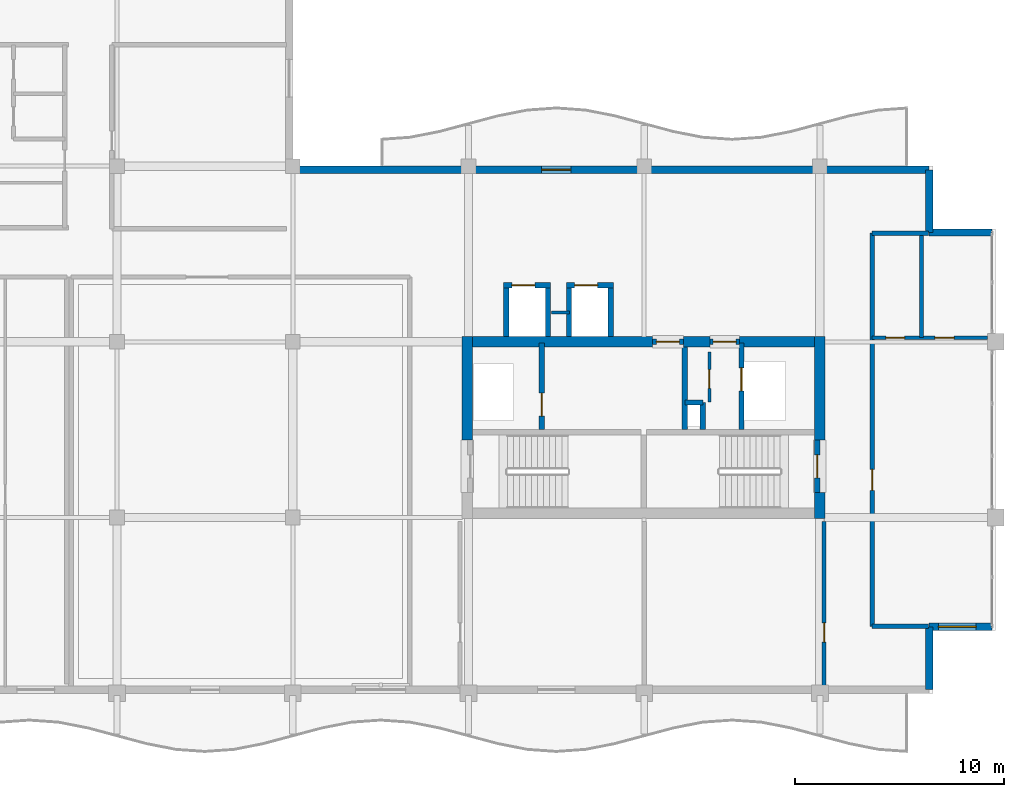
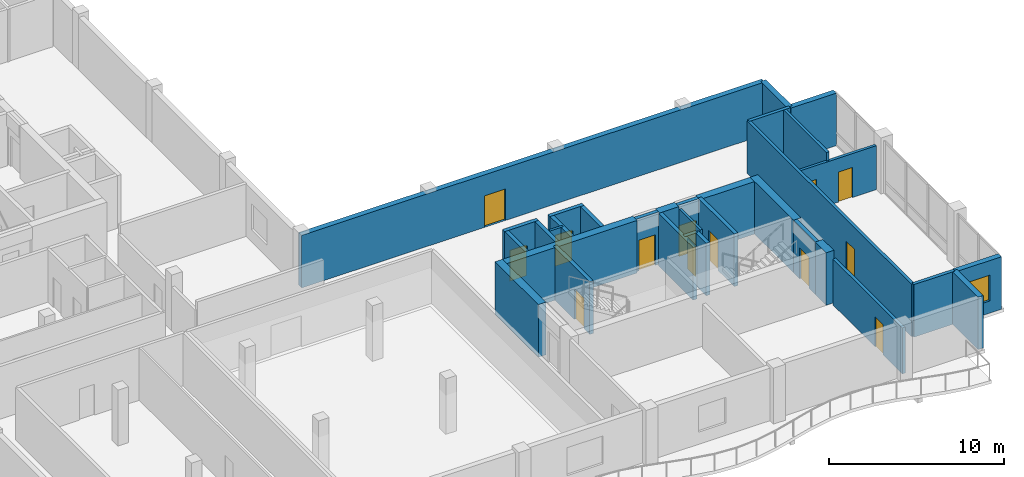
# One storey, part 7 of 14: 33 walls, 13 doors, 1 window, 14 openings.
"""IFC4 building model written with IfcOpenShell, lengths in metres."""

import ifcopenshell
import ifcopenshell.guid

model = None  # the IFC model being written
_history = None  # IfcOwnerHistory: only IFC2X3 demands one
_inside = {}  # id of a spatial element -> (the spatial element, [elements in it])
_under = {}  # id of a project, library or spatial element -> (it, [spatial elements below it])
_declared = {}  # id of a project -> (the project, [libraries it declares])
_typed = {}  # id of a type object -> (the type object, [elements of that type])
_made_of = {}  # id of a material, layer set ... -> (it, [elements and type objects made of it])


def new_model(schema):
    """Start an empty IFC model of exactly this schema.

    Asked for "IFC4X3", IfcOpenShell would pick the latest addendum, in which some entities
    have other attributes; the version numbers below select the first issue.
    IFC2X3 requires an IfcOwnerHistory on every rooted entity: one is made here for all.
    """
    global model, _history
    if schema == "IFC4X3":
        model = ifcopenshell.file(schema_version=(4, 3, 0, 0))
    else:
        model = ifcopenshell.file(schema=schema)
    _inside.clear()
    _under.clear()
    _declared.clear()
    _typed.clear()
    _made_of.clear()
    _history = None
    if model.schema == "IFC2X3":
        org = make("IfcOrganization", Name="unknown")
        user = make(
            "IfcPersonAndOrganization",
            ThePerson=make("IfcPerson", FamilyName="unknown"),
            TheOrganization=org,
        )
        app = make(
            "IfcApplication",
            ApplicationDeveloper=org,
            Version="unknown",
            ApplicationFullName="unknown",
            ApplicationIdentifier="unknown",
        )
        _history = make(
            "IfcOwnerHistory",
            OwningUser=user,
            OwningApplication=app,
            ChangeAction="ADDED",
            CreationDate=0,
        )
    return model


def make(cls, **values):
    """One entity of the class cls with the attributes given. An attribute that is None is left unset."""
    return model.create_entity(
        cls, **{name: value for name, value in values.items() if value is not None}
    )


def rooted(cls, **values):
    """An entity with a GlobalId (a new one), such as an element, a storey or a relation."""
    return make(cls, GlobalId=ifcopenshell.guid.new(), OwnerHistory=_history, **values)


def si_unit(unit_type, name, prefix=None):
    """IfcSIUnit, for example si_unit("LENGTHUNIT", "METRE", prefix="MILLI")."""
    return make("IfcSIUnit", UnitType=unit_type, Prefix=prefix, Name=name)


def assignment(units):
    """IfcUnitAssignment: the units of a project."""
    return None if units is None else make("IfcUnitAssignment", Units=units)


def point(xyz):
    """IfcCartesianPoint."""
    return None if xyz is None else make("IfcCartesianPoint", Coordinates=xyz)


def direction(xyz):
    """IfcDirection."""
    return None if xyz is None else make("IfcDirection", DirectionRatios=xyz)


def frame(location, z_axis=None, x_axis=None):
    """IfcAxis2Placement3D, a coordinate frame: its origin and axes. An axis left out is left unset."""
    return make(
        "IfcAxis2Placement3D",
        Location=point(location),
        Axis=direction(z_axis),
        RefDirection=direction(x_axis),
    )


def frame_2d(location, x_axis=None):
    """IfcAxis2Placement2D, a coordinate frame in the plane: its origin and x axis."""
    return make(
        "IfcAxis2Placement2D", Location=point(location), RefDirection=direction(x_axis)
    )


def origin():
    """The frame at (0, 0, 0) with its axes left unset."""
    return frame((0.0, 0.0, 0.0))


def place(relative_to, where):
    """IfcLocalPlacement: puts the frame where relative to a parent placement (None: the world)."""
    return make(
        "IfcLocalPlacement", PlacementRelTo=relative_to, RelativePlacement=where
    )


def context(
    kind, dimensions, precision=None, world=None, true_north=None, identifier=None
):
    """IfcGeometricRepresentationContext, for example the 3D "Model" context."""
    return make(
        "IfcGeometricRepresentationContext",
        ContextIdentifier=identifier,
        ContextType=kind,
        CoordinateSpaceDimension=dimensions,
        Precision=precision,
        WorldCoordinateSystem=world,
        TrueNorth=true_north,
    )


def subcontext(parent, identifier, kind, view, scale=None):
    """IfcGeometricRepresentationSubContext, for example "Body" below "Model"."""
    return make(
        "IfcGeometricRepresentationSubContext",
        ContextIdentifier=identifier,
        ContextType=kind,
        ParentContext=parent,
        TargetScale=scale,
        TargetView=view,
    )


def project(units=None, contexts=None):
    """IfcProject with its units and contexts."""
    return rooted(
        "IfcProject",
        Name="project",
        RepresentationContexts=contexts,
        UnitsInContext=assignment(units),
    )


def spatial(cls, under=None, at=None, **own):
    """A site, building, storey or space (cls), placed at a placement, below another one or the project."""
    s = rooted(cls, ObjectPlacement=at, **own)
    if under is not None:
        _under.setdefault(under.id(), (under, []))[1].append(s)
    return s


def profile(cls, at=None, kind="AREA", **sizes):
    """A parametric profile (cls). Its sizes go by their IFC names, for example OverallWidth=200.0."""
    return make(cls, ProfileType=kind, Position=at, **sizes)


def rectangle(**sizes):
    """IfcRectangleProfileDef."""
    return profile("IfcRectangleProfileDef", **sizes)


def extrude(swept, where, along, depth):
    """IfcExtrudedAreaSolid: the profile swept, set in the frame where, extruded along a direction by depth."""
    return make(
        "IfcExtrudedAreaSolid",
        SweptArea=swept,
        Position=where,
        ExtrudedDirection=direction(along),
        Depth=depth,
    )


def shape(context_of_items, identifier, shape_type, items):
    """IfcShapeRepresentation: the items that make up one representation, for example the "Body"."""
    return make(
        "IfcShapeRepresentation",
        ContextOfItems=context_of_items,
        RepresentationIdentifier=identifier,
        RepresentationType=shape_type,
        Items=items,
    )


def material(Name=None, Category=None):
    """IfcMaterial."""
    return make("IfcMaterial", Name=Name, Category=Category)


def layer(
    of_material, thickness, ventilated=None, Name=None, Category=None, Priority=None
):
    """IfcMaterialLayer: one layer of a wall or slab, of a material (None: an air gap)."""
    return make(
        "IfcMaterialLayer",
        Material=of_material,
        LayerThickness=thickness,
        IsVentilated=ventilated,
        Name=Name,
        Category=Category,
        Priority=Priority,
    )


def layer_set(layers, Name=None):
    """IfcMaterialLayerSet."""
    return make("IfcMaterialLayerSet", MaterialLayers=layers, LayerSetName=Name)


def made_of(thing, what):
    """Note that an element or type object is made of a material, layer set ...; save() writes the relation."""
    if what is not None:
        _made_of.setdefault(what.id(), (what, []))[1].append(thing)
    return thing


def type_object(cls, material=None, **own):
    """A type object (cls), such as IfcWallType, which elements share."""
    return made_of(rooted(cls, **own), material)


def element(
    cls,
    number,
    at=None,
    inside=None,
    cuts=None,
    type_object=None,
    material=None,
    context=None,
    identifier="Body",
    shape_type=None,
    held_by="IfcProductDefinitionShape",
    body=None,
    shapes=None,
    **own,
):
    """One element of the class cls, such as IfcWall. Its Tag is "e" and its number.

    at: its placement. inside: the storey or other place that contains it. cuts: it is an
    opening in that element (IfcRelVoidsElement). A single representation is given by context,
    identifier, shape_type and body (its items); several are given by shapes. held_by: the class
    of the entity that holds the representations. save() writes the other relations.
    """
    e = rooted(cls, Tag="e%d" % number, ObjectPlacement=at, **own)
    if body is not None:
        shapes = [shape(context, identifier, shape_type, body)]
    if shapes is not None:
        e.Representation = make(held_by, Representations=shapes)
    if inside is not None:
        _inside.setdefault(inside.id(), (inside, []))[1].append(e)
    if cuts is not None:
        rooted(
            "IfcRelVoidsElement", RelatingBuildingElement=cuts, RelatedOpeningElement=e
        )
    if type_object is not None:
        _typed.setdefault(type_object.id(), (type_object, []))[1].append(e)
    return made_of(e, material)


def fill(opening, filler):
    """IfcRelFillsElement: the door or window that sits in an opening."""
    return rooted(
        "IfcRelFillsElement",
        RelatingOpeningElement=opening,
        RelatedBuildingElement=filler,
    )


def aggregate(whole, parts):
    """IfcRelAggregates: a whole, such as a stair, and the parts it consists of."""
    return rooted("IfcRelAggregates", RelatingObject=whole, RelatedObjects=parts)


def save(model, path):
    """Write the relations noted so far, then the file.

    IfcRelAggregates (storeys below a building ...), IfcRelContainedInSpatialStructure (elements
    in a storey), IfcRelDefinesByType, IfcRelAssociatesMaterial and IfcRelDeclares: one each for
    every whole, place, type object, material and project.
    """
    for whole, parts in _under.values():
        aggregate(whole, parts)
    for where, things in _inside.values():
        rooted(
            "IfcRelContainedInSpatialStructure",
            RelatedElements=things,
            RelatingStructure=where,
        )
    for kind, things in _typed.values():
        rooted("IfcRelDefinesByType", RelatedObjects=things, RelatingType=kind)
    for what, things in _made_of.values():
        rooted("IfcRelAssociatesMaterial", RelatedObjects=things, RelatingMaterial=what)
    for by, libraries in _declared.values():
        rooted("IfcRelDeclares", RelatingContext=by, RelatedDefinitions=libraries)
    model.write(path)


model = new_model("IFC4")

# Units and contexts
model_context = context("Model", 3, precision=1e-05, world=origin(), true_north=direction((0.0, 1.0)))
body_context = subcontext(model_context, "Body", "Model", "MODEL_VIEW")
ifc_project = project(units=[si_unit("LENGTHUNIT", "METRE"), si_unit("AREAUNIT", "SQUARE_METRE"), si_unit("VOLUMEUNIT", "CUBIC_METRE"), si_unit("PLANEANGLEUNIT", "RADIAN"), si_unit("MASSUNIT", "GRAM", prefix="KILO")], contexts=[model_context])

# Site, building, storey
site_placement = place(None, origin())
site = spatial("IfcSite", under=ifc_project, at=site_placement, CompositionType="ELEMENT")
building_placement = place(site_placement, origin())
building = spatial("IfcBuilding", under=site, at=building_placement, Name="Koriwani Terraces Tower", CompositionType="ELEMENT")
storey_placement = place(building_placement, frame((0.0, 0.0, 339.800048828125)))
storey = spatial("IfcBuildingStorey", under=building, at=storey_placement, Name="L84", CompositionType="ELEMENT", Elevation=339.800048828125)

# Walls
ifc_material_1 = material(Name="Concrete C50/60", Category="concrete")
ifc_layer_1 = layer(ifc_material_1, 0.5, Name="Concrete C50/60")
ifc_layer_set_1 = layer_set([ifc_layer_1], Name="Concrete C50/60")
wall_type_1 = type_object("IfcWallType", Name="WALL_CORE_RC_500", PredefinedType="SHEAR", material=ifc_layer_set_1)
wall_1_placement = place(storey_placement, frame((41.949951171875, 20.5, 0.0), z_axis=(0.0, 0.0, 1.0), x_axis=(0.0, 1.0, 0.0)))
element("IfcWall", 1, at=wall_1_placement, inside=storey, type_object=wall_type_1, Name="L84 East Split Core Shear Wall W2", PredefinedType="SHEAR", context=body_context, shape_type="SweptSolid", body=[
    extrude(rectangle(XDim=4.949951171875, YDim=0.5, at=frame_2d((2.47509765625, 0.0))), origin(), (0.0, 0.0, 1.0), 3.669921875),
])
wall_2_placement = place(storey_placement, frame((58.800048828125, 16.75, 0.0), z_axis=(0.0, 0.0, 1.0), x_axis=(0.0, 1.0, 0.0)))
element("IfcWall", 2, at=wall_2_placement, inside=storey, type_object=wall_type_1, Name="L84 East Split Core Shear Wall E1", PredefinedType="SHEAR", context=body_context, shape_type="SweptSolid", body=[
    extrude(rectangle(XDim=1.25, YDim=0.5, at=frame_2d((0.625, 0.0))), origin(), (0.0, 0.0, 1.0), 3.669921875),
])
wall_3_placement = place(storey_placement, frame((58.800048828125, 20.5, 0.0), z_axis=(0.0, 0.0, 1.0), x_axis=(0.0, 1.0, 0.0)))
element("IfcWall", 3, at=wall_3_placement, inside=storey, type_object=wall_type_1, Name="L84 East Split Core Shear Wall E2", PredefinedType="SHEAR", context=body_context, shape_type="SweptSolid", body=[
    extrude(rectangle(XDim=4.949951171875, YDim=0.5, at=frame_2d((2.47509765625, 0.0))), origin(), (0.0, 0.0, 1.0), 3.669921875),
])
wall_4_placement = place(storey_placement, frame((42.199951171875, 25.199951171875, 0.0), z_axis=(0.0, 0.0, 1.0), x_axis=(1.0, 0.0, 0.0)))
element("IfcWall", 4, at=wall_4_placement, inside=storey, type_object=wall_type_1, Name="L84 East Split Core Shear Wall N1", PredefinedType="SHEAR", context=body_context, shape_type="SweptSolid", body=[
    extrude(rectangle(XDim=8.60009765625, YDim=0.5, at=frame_2d((4.300048828125, 0.0))), origin(), (0.0, 0.0, 1.0), 3.669921875),
])
wall_5_placement = place(storey_placement, frame((52.280029296875, 25.199951171875, 0.0), z_axis=(0.0, 0.0, 1.0), x_axis=(1.0, 0.0, 0.0)))
element("IfcWall", 5, at=wall_5_placement, inside=storey, type_object=wall_type_1, Name="L84 East Split Core Shear Wall N2", PredefinedType="SHEAR", context=body_context, shape_type="SweptSolid", body=[
    extrude(rectangle(XDim=1.27001953125, YDim=0.5, at=frame_2d((0.635009765625, 0.0))), origin(), (0.0, 0.0, 1.0), 3.669921875),
])
wall_6_placement = place(storey_placement, frame((54.949951171875, 25.199951171875, 0.0), z_axis=(0.0, 0.0, 1.0), x_axis=(1.0, 0.0, 0.0)))
element("IfcWall", 6, at=wall_6_placement, inside=storey, type_object=wall_type_1, Name="L84 East Split Core Shear Wall N3", PredefinedType="SHEAR", context=body_context, shape_type="SweptSolid", body=[
    extrude(rectangle(XDim=3.60009765625, YDim=0.5, at=frame_2d((1.800048828125, 0.0))), origin(), (0.0, 0.0, 1.0), 3.669921875),
])

# Wall, opening, door
ifc_material_2 = material(Name="Autoclaved Cellular Concrete Blockwork", Category="masonry")
ifc_layer_2 = layer(ifc_material_2, 0.199951171875, Name="Autoclaved Cellular Concrete Blockwork")
ifc_layer_set_2 = layer_set([ifc_layer_2], Name="Autoclaved Cellular Concrete Blockwork")
wall_type_2 = type_object("IfcWallType", Name="WALL_CORRIDOR_200", PredefinedType="PARTITIONING", material=ifc_layer_set_2)
wall_7_placement = place(storey_placement, frame((59.0, 8.64990234375, 0.0), z_axis=(0.0, 0.0, 1.0), x_axis=(0.0, 1.0, 0.0)))
wall_7 = element("IfcWall", 7, at=wall_7_placement, inside=storey, type_object=wall_type_2, Name="L84 Interior Wall WRZ4-EE-L84", PredefinedType="PARTITIONING", context=body_context, shape_type="SweptSolid", body=[
    extrude(rectangle(XDim=7.9501953125, YDim=0.199951171875, at=frame_2d((3.97509765625, 0.0))), origin(), (0.0, 0.0, 1.0), 3.20703125),
])
opening_1_placement = place(wall_7_placement, frame((2.199951171875, 0.0, 0.0)))
opening_1 = element("IfcOpeningElement", 8, at=opening_1_placement, cuts=wall_7, Name="Opening D-06", PredefinedType="OPENING", context=body_context, shape_type="SweptSolid", body=[
    extrude(rectangle(XDim=0.919921875, YDim=2.10009765625, at=frame_2d((0.4599609375, 1.050048828125))), frame((0.0, 0.10986328125, 0.0), z_axis=(0.0, -1.0, 0.0), x_axis=(1.0, 0.0, 0.0)), (0.0, 0.0, 1.0), 0.219970703125),
])
ifc_material_3 = material(Name="Architectural Oak Fire Door", Category="wood")
door_type_1 = type_object("IfcDoorType", Name="DOOR_ROOM_INT_920X2100", OperationType="NOTDEFINED", PredefinedType="DOOR", material=ifc_material_3)
door_1_placement = place(opening_1_placement, origin())
door_1 = element("IfcDoor", 9, at=door_1_placement, inside=storey, type_object=door_type_1, Name="L84 Resident Laundry Room Door", OperationType="SINGLE_SWING_RIGHT", OverallHeight=2.10009765625, OverallWidth=0.919921875, PredefinedType="DOOR", context=body_context, shape_type="SweptSolid", body=[
    extrude(rectangle(XDim=0.919921875, YDim=2.10009765625, at=frame_2d((0.4599609375, 1.050048828125))), frame((0.0, 0.02490234375, 0.0), z_axis=(0.0, -1.0, 0.0), x_axis=(1.0, 0.0, 0.0)), (0.0, 0.0, 1.0), 0.050048828125),
])
fill(opening_1, door_1)

wall_8_placement = place(storey_placement, frame((61.300048828125, 11.60009765625, 0.0), z_axis=(0.0, 0.0, 1.0), x_axis=(0.0, 1.0, 0.0)))
wall_8 = element("IfcWall", 10, at=wall_8_placement, inside=storey, type_object=wall_type_2, Name="L84 Interior Wall WET-W-L84", PredefinedType="PARTITIONING", context=body_context, shape_type="SweptSolid", body=[
    extrude(rectangle(XDim=18.7998046875, YDim=0.199951171875, at=frame_2d((9.39990234375, 0.0))), origin(), (0.0, 0.0, 1.0), 3.669921875),
])
opening_2_placement = place(wall_8_placement, frame((6.5, 0.0, 0.0)))
opening_2 = element("IfcOpeningElement", 11, at=opening_2_placement, cuts=wall_8, Name="Opening D-05", PredefinedType="OPENING", context=body_context, shape_type="SweptSolid", body=[
    extrude(rectangle(XDim=1.0, YDim=2.14990234375, at=frame_2d((0.5, 1.074951171875))), frame((0.0, 0.10986328125, 0.0), z_axis=(0.0, -1.0, 0.0), x_axis=(1.0, 0.0, 0.0)), (0.0, 0.0, 1.0), 0.219970703125),
])
door_type_2 = type_object("IfcDoorType", Name="DOOR_SUITE_ENTRY_1000X2150", OperationType="NOTDEFINED", PredefinedType="DOOR", material=ifc_material_3)
door_2_placement = place(opening_2_placement, origin())
door_2 = element("IfcDoor", 12, at=door_2_placement, inside=storey, type_object=door_type_2, Name="Apartment 84ET Entrance Door", OperationType="SINGLE_SWING_RIGHT", OverallHeight=2.14990234375, OverallWidth=1.0, PredefinedType="DOOR", context=body_context, shape_type="SweptSolid", body=[
    extrude(rectangle(XDim=1.0, YDim=2.14990234375, at=frame_2d((0.5, 1.074951171875))), frame((0.0, 0.02490234375, 0.0), z_axis=(0.0, -1.0, 0.0), x_axis=(1.0, 0.0, 0.0)), (0.0, 0.0, 1.0), 0.050048828125),
])
fill(opening_2, door_2)

# Walls
ifc_layer_3 = layer(ifc_material_2, 0.219970703125, Name="Autoclaved Cellular Concrete Blockwork")
ifc_layer_set_3 = layer_set([ifc_layer_3], Name="Autoclaved Cellular Concrete Blockwork")
wall_type_3 = type_object("IfcWallType", Name="WALL_DEMISING_220", PredefinedType="PARTITIONING", material=ifc_layer_set_3)
for number, where, z_axis, x_axis, name in (
    (13, (61.300048828125, 11.60009765625, 0.0), (0.0, 0.0, 1.0), (1.0, 0.0, 0.0), "L84 Interior Wall WET-S-L84"),
    (14, (61.300048828125, 30.39990234375, 0.0), (0.0, 0.0, 1.0), (1.0, 0.0, 0.0), "L84 Interior Wall WET-N-L84"),
):
    element("IfcWall", number, at=place(storey_placement, frame(where, z_axis=z_axis, x_axis=x_axis)), inside=storey, type_object=wall_type_3, Name=name, PredefinedType="PARTITIONING", context=body_context, shape_type="SweptSolid", body=[
        extrude(rectangle(XDim=2.699951171875, YDim=0.219970703125, at=frame_2d((1.35009765625, 0.0))), origin(), (0.0, 0.0, 1.0), 3.669921875),
    ])

# Wall, opening, door
ifc_layer_4 = layer(ifc_material_1, 0.35009765625, Name="Concrete C50/60")
ifc_layer_set_4 = layer_set([ifc_layer_4], Name="Concrete C50/60")
wall_type_4 = type_object("IfcWallType", Name="WALL_EXT_BRUTALIST_350", PredefinedType="STANDARD", material=ifc_layer_set_4)
wall_9_placement = place(storey_placement, frame((33.425048828125, 33.425048828125, 0.0), z_axis=(0.0, 0.0, 1.0), x_axis=(1.0, 0.0, 0.0)))
wall_9 = element("IfcWall", 15, at=wall_9_placement, inside=storey, type_object=wall_type_4, Name="L84 Fair-Faced Brutalist Exterior Wall (NE)", PredefinedType="STANDARD", context=body_context, shape_type="SweptSolid", body=[
    extrude(rectangle(XDim=30.599853515625, YDim=0.35009765625, at=frame_2d((15.2998046875, 0.0))), origin(), (0.0, 0.0, 1.0), 3.669921875),
])
opening_3_placement = place(wall_9_placement, frame((12.074951171875, 0.0, 0.0)))
opening_3 = element("IfcOpeningElement", 16, at=opening_3_placement, cuts=wall_9, Name="Opening D-09", PredefinedType="OPENING", context=body_context, shape_type="SweptSolid", body=[
    extrude(rectangle(XDim=1.39990234375, YDim=2.199951171875, at=frame_2d((0.699951171875, 1.10009765625))), frame((0.0, 0.18505859375, 0.0), z_axis=(0.0, -1.0, 0.0), x_axis=(1.0, 0.0, 0.0)), (0.0, 0.0, 1.0), 0.3701171875),
])
ifc_material_4 = material(Name="Anodised Bronze Aluminium", Category="aluminium")
door_type_3 = type_object("IfcDoorType", Name="DOOR_BALCONY_GLAZED_1400X2200", OperationType="NOTDEFINED", PredefinedType="DOOR", material=ifc_material_4)
door_3_placement = place(opening_3_placement, origin())
door_3 = element("IfcDoor", 17, at=door_3_placement, inside=storey, type_object=door_type_3, Name="L84 Inner Court Balcony Glazed Door", OperationType="SINGLE_SWING_LEFT", OverallHeight=2.199951171875, OverallWidth=1.39990234375, PredefinedType="DOOR", context=body_context, shape_type="SweptSolid", body=[
    extrude(rectangle(XDim=1.39990234375, YDim=2.199951171875, at=frame_2d((0.699951171875, 1.10009765625))), frame((0.0, 0.02490234375, 0.0), z_axis=(0.0, -1.0, 0.0), x_axis=(1.0, 0.0, 0.0)), (0.0, 0.0, 1.0), 0.050048828125),
])
fill(opening_3, door_3)

# Walls
for number, where, z_axis, x_axis, name in (
    (18, (64.02490234375, 33.425048828125, 0.0), (0.0, 0.0, 1.0), (0.0, -1.0, 0.0), "L84 Fair-Faced Brutalist Exterior Wall (N10)"),
    (19, (64.02490234375, 30.425048828125, 0.0), (0.0, 0.0, 1.0), (1.0, 0.0, 0.0), "L84 Fair-Faced Brutalist Exterior Wall (N11)"),
):
    element("IfcWall", number, at=place(storey_placement, frame(where, z_axis=z_axis, x_axis=x_axis)), inside=storey, type_object=wall_type_4, Name=name, PredefinedType="STANDARD", context=body_context, shape_type="SweptSolid", body=[
        extrude(rectangle(XDim=3.0, YDim=0.35009765625, at=frame_2d((1.5, 0.0))), origin(), (0.0, 0.0, 1.0), 3.669921875),
    ])

# Wall, opening, window
wall_10_placement = place(storey_placement, frame((67.02490234375, 11.574951171875, 0.0), z_axis=(0.0, 0.0, 1.0), x_axis=(-1.0, 0.0, 0.0)))
wall_10 = element("IfcWall", 20, at=wall_10_placement, inside=storey, type_object=wall_type_4, Name="L84 Fair-Faced Brutalist Exterior Wall (N13)", PredefinedType="STANDARD", context=body_context, shape_type="SweptSolid", body=[
    extrude(rectangle(XDim=3.0, YDim=0.35009765625, at=frame_2d((1.5, 0.0))), origin(), (0.0, 0.0, 1.0), 3.669921875),
])
opening_4_placement = place(wall_10_placement, frame((0.762451171875, 0.0, 0.85009765625)))
opening_4 = element("IfcOpeningElement", 21, at=opening_4_placement, cuts=wall_10, Name="Opening W-04", PredefinedType="OPENING", context=body_context, shape_type="SweptSolid", body=[
    extrude(rectangle(XDim=1.800048828125, YDim=1.800048828125, at=frame_2d((0.89990234375, 0.89990234375))), frame((0.0, 0.18505859375, 0.0), z_axis=(0.0, -1.0, 0.0), x_axis=(1.0, 0.0, 0.0)), (0.0, 0.0, 1.0), 0.3701171875),
])
ifc_material_5 = material(Name="Tempered Laminated Low-E Glass", Category="glass")
window_type = type_object("IfcWindowType", Name="WIN_RES_BED_1800X1800", PartitioningType="DOUBLE_PANEL_VERTICAL", PredefinedType="WINDOW", material=ifc_material_5)
window_placement = place(opening_4_placement, origin())
window = element("IfcWindow", 22, at=window_placement, inside=storey, type_object=window_type, Name="L84 Exterior Window (N13-R45)", OverallHeight=1.800048828125, OverallWidth=1.800048828125, PartitioningType="SINGLE_PANEL", PredefinedType="WINDOW", context=body_context, shape_type="SweptSolid", body=[
    extrude(rectangle(XDim=1.800048828125, YDim=1.800048828125, at=frame_2d((0.89990234375, 0.89990234375))), frame((0.0, 0.030029296875, 0.0), z_axis=(0.0, -1.0, 0.0), x_axis=(1.0, 0.0, 0.0)), (0.0, 0.0, 1.0), 0.06005859375),
])
fill(opening_4, window)

# Wall
wall_11_placement = place(storey_placement, frame((64.02490234375, 11.574951171875, 0.0), z_axis=(0.0, 0.0, 1.0), x_axis=(0.0, -1.0, 0.0)))
element("IfcWall", 23, at=wall_11_placement, inside=storey, type_object=wall_type_4, Name="L84 Fair-Faced Brutalist Exterior Wall (N14)", PredefinedType="STANDARD", context=body_context, shape_type="SweptSolid", body=[
    extrude(rectangle(XDim=3.0, YDim=0.35009765625, at=frame_2d((1.5, 0.0))), origin(), (0.0, 0.0, 1.0), 3.669921875),
])

# Wall, openings, doors
ifc_material_6 = material(Name="Fire-Rated Acoustic Gypsum Partition", Category="masonry")
ifc_layer_5 = layer(ifc_material_6, 0.179931640625, Name="Fire-Rated Acoustic Gypsum Partition")
ifc_layer_set_5 = layer_set([ifc_layer_5], Name="Fire-Rated Acoustic Gypsum Partition")
wall_type_5 = type_object("IfcWallType", Name="WALL_PLUMBING_180", PredefinedType="PLUMBINGWALL", material=ifc_layer_set_5)
wall_12_placement = place(storey_placement, frame((61.300048828125, 25.39990234375, 0.0), z_axis=(0.0, 0.0, 1.0), x_axis=(1.0, 0.0, 0.0)))
wall_12 = element("IfcWall", 24, at=wall_12_placement, inside=storey, type_object=wall_type_5, Name="L84 Interior Wall WET-SVB-L84", PredefinedType="PLUMBINGWALL", context=body_context, shape_type="SweptSolid", body=[
    extrude(rectangle(XDim=5.5, YDim=0.179931640625, at=frame_2d((2.75, 0.0))), origin(), (0.0, 0.0, 1.0), 3.070068359375),
])
opening_5_placement = place(wall_12_placement, frame((0.64990234375, 0.0, 0.0)))
opening_5 = element("IfcOpeningElement", 25, at=opening_5_placement, cuts=wall_12, Name="Opening D-07", PredefinedType="OPENING", context=body_context, shape_type="SweptSolid", body=[
    extrude(rectangle(XDim=0.89990234375, YDim=2.10009765625, at=frame_2d((0.449951171875, 1.050048828125))), frame((0.0, 0.10009765625, 0.0), z_axis=(0.0, -1.0, 0.0), x_axis=(1.0, 0.0, 0.0)), (0.0, 0.0, 1.0), 0.199951171875),
])
opening_6_placement = place(wall_12_placement, frame((3.0, 0.0, 0.0)))
opening_6 = element("IfcOpeningElement", 26, at=opening_6_placement, cuts=wall_12, Name="Opening D-06", PredefinedType="OPENING", context=body_context, shape_type="SweptSolid", body=[
    extrude(rectangle(XDim=0.919921875, YDim=2.10009765625, at=frame_2d((0.4599609375, 1.050048828125))), frame((0.0, 0.10009765625, 0.0), z_axis=(0.0, -1.0, 0.0), x_axis=(1.0, 0.0, 0.0)), (0.0, 0.0, 1.0), 0.199951171875),
])
door_type_4 = type_object("IfcDoorType", Name="DOOR_BATH_INT_900X2100", OperationType="NOTDEFINED", PredefinedType="DOOR", material=ifc_material_3)
door_4_placement = place(opening_5_placement, origin())
door_4 = element("IfcDoor", 27, at=door_4_placement, inside=storey, type_object=door_type_4, Name="Apartment 84ET Bathroom Door", OperationType="SINGLE_SWING_LEFT", OverallHeight=2.10009765625, OverallWidth=0.89990234375, PredefinedType="DOOR", context=body_context, shape_type="SweptSolid", body=[
    extrude(rectangle(XDim=0.89990234375, YDim=2.10009765625, at=frame_2d((0.449951171875, 1.050048828125))), frame((0.0, 0.02490234375, 0.0), z_axis=(0.0, -1.0, 0.0), x_axis=(1.0, 0.0, 0.0)), (0.0, 0.0, 1.0), 0.050048828125),
])
fill(opening_5, door_4)
door_5_placement = place(opening_6_placement, origin())
door_5 = element("IfcDoor", 28, at=door_5_placement, inside=storey, type_object=door_type_1, Name="Apartment 84ET Kitchen Door", OperationType="SINGLE_SWING_RIGHT", OverallHeight=2.10009765625, OverallWidth=0.919921875, PredefinedType="DOOR", context=body_context, shape_type="SweptSolid", body=[
    extrude(rectangle(XDim=0.919921875, YDim=2.10009765625, at=frame_2d((0.4599609375, 1.050048828125))), frame((0.0, 0.02490234375, 0.0), z_axis=(0.0, -1.0, 0.0), x_axis=(1.0, 0.0, 0.0)), (0.0, 0.0, 1.0), 0.050048828125),
])
fill(opening_6, door_5)

# Wall
wall_13_placement = place(storey_placement, frame((63.64990234375, 25.39990234375, 0.0), z_axis=(0.0, 0.0, 1.0), x_axis=(0.0, 1.0, 0.0)))
element("IfcWall", 29, at=wall_13_placement, inside=storey, type_object=wall_type_5, Name="L84 Interior Wall WET-SVCM-L84", PredefinedType="PLUMBINGWALL", context=body_context, shape_type="SweptSolid", body=[
    extrude(rectangle(XDim=5.0, YDim=0.179931640625, at=frame_2d((2.5, 0.0))), origin(), (0.0, 0.0, 1.0), 3.669921875),
])

# Wall, opening, door
ifc_material_7 = material(Name="Concrete C40/50", Category="concrete")
ifc_layer_6 = layer(ifc_material_7, 0.25, Name="Concrete C40/50")
ifc_layer_set_6 = layer_set([ifc_layer_6], Name="Concrete C40/50")
wall_type_6 = type_object("IfcWallType", Name="WALL_SHAFT_RATED_250", PredefinedType="SOLIDWALL", material=ifc_layer_set_6)
wall_14_placement = place(storey_placement, frame((58.675048828125, 18.0, 0.0), z_axis=(0.0, 0.0, 1.0), x_axis=(0.0, 1.0, 0.0)))
wall_14 = element("IfcWall", 30, at=wall_14_placement, inside=storey, type_object=wall_type_6, Name="L84 Interior Wall WIN-CE-L84-STE", PredefinedType="SOLIDWALL", context=body_context, shape_type="SweptSolid", body=[
    extrude(rectangle(XDim=2.5, YDim=0.25, at=frame_2d((1.25, 0.0))), origin(), (0.0, 0.0, 1.0), 3.669921875),
])
opening_7_placement = place(wall_14_placement, frame((0.699951171875, 0.0, 0.0)))
opening_7 = element("IfcOpeningElement", 31, at=opening_7_placement, cuts=wall_14, Name="Opening D-03", PredefinedType="OPENING", context=body_context, shape_type="SweptSolid", body=[
    extrude(rectangle(XDim=1.10009765625, YDim=2.14990234375, at=frame_2d((0.550048828125, 1.074951171875))), frame((0.0, 0.135009765625, 0.0), z_axis=(0.0, -1.0, 0.0), x_axis=(1.0, 0.0, 0.0)), (0.0, 0.0, 1.0), 0.27001953125),
])
ifc_material_8 = material(Name="Steel ASTM A572 Grade 50", Category="steel")
door_type_5 = type_object("IfcDoorType", Name="DOOR_STAIR_FIRE_1100X2150", OperationType="NOTDEFINED", PredefinedType="DOOR", material=ifc_material_8)
door_6_placement = place(opening_7_placement, origin())
door_6 = element("IfcDoor", 32, at=door_6_placement, inside=storey, type_object=door_type_5, Name="L84 Exit Stair ST-E2 Door", OperationType="SINGLE_SWING_RIGHT", OverallHeight=2.14990234375, OverallWidth=1.10009765625, PredefinedType="DOOR", context=body_context, shape_type="SweptSolid", body=[
    extrude(rectangle(XDim=1.10009765625, YDim=2.14990234375, at=frame_2d((0.550048828125, 1.074951171875))), frame((0.0, 0.02490234375, 0.0), z_axis=(0.0, -1.0, 0.0), x_axis=(1.0, 0.0, 0.0)), (0.0, 0.0, 1.0), 0.050048828125),
])
fill(opening_7, door_6)

wall_15_placement = place(storey_placement, frame((45.5, 21.0, 0.0), z_axis=(0.0, 0.0, 1.0), x_axis=(0.0, 1.0, 0.0)))
wall_15 = element("IfcWall", 33, at=wall_15_placement, inside=storey, type_object=wall_type_6, Name="L84 Interior Wall WIN-CE-L84-FE", PredefinedType="SOLIDWALL", context=body_context, shape_type="SweptSolid", body=[
    extrude(rectangle(XDim=4.14990234375, YDim=0.25, at=frame_2d((2.074951171875, 0.0))), origin(), (0.0, 0.0, 1.0), 3.669921875),
])
opening_8_placement = place(wall_15_placement, frame((0.64990234375, 0.0, 0.0)))
opening_8 = element("IfcOpeningElement", 34, at=opening_8_placement, cuts=wall_15, Name="Opening LD-01", PredefinedType="OPENING", context=body_context, shape_type="SweptSolid", body=[
    extrude(rectangle(XDim=1.10009765625, YDim=2.14990234375, at=frame_2d((0.550048828125, 1.074951171875))), frame((0.0, 0.135009765625, 0.0), z_axis=(0.0, -1.0, 0.0), x_axis=(1.0, 0.0, 0.0)), (0.0, 0.0, 1.0), 0.27001953125),
])
door_type_6 = type_object("IfcDoorType", Name="DOOR_LIFT_LANDING_1100X2200", OperationType="NOTDEFINED", PredefinedType="DOOR", material=ifc_material_8)
door_7_placement = place(opening_8_placement, origin())
door_7 = element("IfcDoor", 35, at=door_7_placement, inside=storey, type_object=door_type_6, Name="L84 Firefighting Lift FE-02 Landing Door", OperationType="SLIDING_TO_LEFT", OverallHeight=2.14990234375, OverallWidth=1.10009765625, PredefinedType="DOOR", context=body_context, shape_type="SweptSolid", body=[
    extrude(rectangle(XDim=1.10009765625, YDim=2.14990234375, at=frame_2d((0.550048828125, 1.074951171875))), frame((0.0, 0.02490234375, 0.0), z_axis=(0.0, -1.0, 0.0), x_axis=(1.0, 0.0, 0.0)), (0.0, 0.0, 1.0), 0.050048828125),
])
fill(opening_8, door_7)

wall_16_placement = place(storey_placement, frame((50.800048828125, 25.199951171875, 0.0), z_axis=(0.0, 0.0, 1.0), x_axis=(1.0, 0.0, 0.0)))
wall_16 = element("IfcWall", 36, at=wall_16_placement, inside=storey, type_object=wall_type_6, Name="L84 Interior Wall WIN-CE-L84-NP", PredefinedType="SOLIDWALL", context=body_context, shape_type="SweptSolid", body=[
    extrude(rectangle(XDim=1.47998046875, YDim=0.25, at=frame_2d((0.739990234375, 0.0))), origin(), (0.0, 0.0, 1.0), 3.669921875),
])
opening_9_placement = place(wall_16_placement, frame((0.179931640625, 0.0, 0.0)))
opening_9 = element("IfcOpeningElement", 37, at=opening_9_placement, cuts=wall_16, Name="Opening D-03", PredefinedType="OPENING", context=body_context, shape_type="SweptSolid", body=[
    extrude(rectangle(XDim=1.10009765625, YDim=2.14990234375, at=frame_2d((0.550048828125, 1.074951171875))), frame((0.0, 0.135009765625, 0.0), z_axis=(0.0, -1.0, 0.0), x_axis=(1.0, 0.0, 0.0)), (0.0, 0.0, 1.0), 0.27001953125),
])
door_8_placement = place(opening_9_placement, origin())
door_8 = element("IfcDoor", 38, at=door_8_placement, inside=storey, type_object=door_type_5, Name="L84 East Firefighting Lobby Door", OperationType="SINGLE_SWING_LEFT", OverallHeight=2.14990234375, OverallWidth=1.10009765625, PredefinedType="DOOR", context=body_context, shape_type="SweptSolid", body=[
    extrude(rectangle(XDim=1.10009765625, YDim=2.14990234375, at=frame_2d((0.550048828125, 1.074951171875))), frame((0.0, 0.02490234375, 0.0), z_axis=(0.0, -1.0, 0.0), x_axis=(1.0, 0.0, 0.0)), (0.0, 0.0, 1.0), 0.050048828125),
])
fill(opening_9, door_8)

# Wall
wall_17_placement = place(storey_placement, frame((52.340087890625, 21.0, 0.0), z_axis=(0.0, 0.0, 1.0), x_axis=(0.0, 1.0, 0.0)))
element("IfcWall", 39, at=wall_17_placement, inside=storey, type_object=wall_type_6, Name="L84 Interior Wall WIN-CE-L84-FFE", PredefinedType="SOLIDWALL", context=body_context, shape_type="SweptSolid", body=[
    extrude(rectangle(XDim=3.949951171875, YDim=0.25, at=frame_2d((1.97509765625, 0.0))), origin(), (0.0, 0.0, 1.0), 3.669921875),
])

# Wall, opening, door
wall_18_placement = place(storey_placement, frame((55.050048828125, 21.0, 0.0), z_axis=(0.0, 0.0, 1.0), x_axis=(0.0, 1.0, 0.0)))
wall_18 = element("IfcWall", 40, at=wall_18_placement, inside=storey, type_object=wall_type_6, Name="L84 Interior Wall WIN-CE-L84-SE", PredefinedType="SOLIDWALL", context=body_context, shape_type="SweptSolid", body=[
    extrude(rectangle(XDim=4.14990234375, YDim=0.25, at=frame_2d((2.074951171875, 0.0))), origin(), (0.0, 0.0, 1.0), 3.669921875),
])
opening_10_placement = place(wall_18_placement, frame((1.85009765625, 0.0, 0.0)))
opening_10 = element("IfcOpeningElement", 41, at=opening_10_placement, cuts=wall_18, Name="Opening LD-01", PredefinedType="OPENING", context=body_context, shape_type="SweptSolid", body=[
    extrude(rectangle(XDim=1.10009765625, YDim=2.14990234375, at=frame_2d((0.550048828125, 1.074951171875))), frame((0.0, 0.135009765625, 0.0), z_axis=(0.0, -1.0, 0.0), x_axis=(1.0, 0.0, 0.0)), (0.0, 0.0, 1.0), 0.27001953125),
])
door_9_placement = place(opening_10_placement, origin())
door_9 = element("IfcDoor", 42, at=door_9_placement, inside=storey, type_object=door_type_6, Name="L84 Goods Lift SE-02 Landing Door", OperationType="SLIDING_TO_LEFT", OverallHeight=2.14990234375, OverallWidth=1.10009765625, PredefinedType="DOOR", context=body_context, shape_type="SweptSolid", body=[
    extrude(rectangle(XDim=1.10009765625, YDim=2.14990234375, at=frame_2d((0.550048828125, 1.074951171875))), frame((0.0, 0.02490234375, 0.0), z_axis=(0.0, -1.0, 0.0), x_axis=(1.0, 0.0, 0.0)), (0.0, 0.0, 1.0), 0.050048828125),
])
fill(opening_10, door_9)

wall_19_placement = place(storey_placement, frame((53.550048828125, 25.199951171875, 0.0), z_axis=(0.0, 0.0, 1.0), x_axis=(1.0, 0.0, 0.0)))
wall_19 = element("IfcWall", 43, at=wall_19_placement, inside=storey, type_object=wall_type_6, Name="L84 Interior Wall WIN-CE-L84-NP2", PredefinedType="SOLIDWALL", context=body_context, shape_type="SweptSolid", body=[
    extrude(rectangle(XDim=1.39990234375, YDim=0.25, at=frame_2d((0.699951171875, 0.0))), origin(), (0.0, 0.0, 1.0), 3.669921875),
])
opening_11_placement = place(wall_19_placement, frame((0.14990234375, 0.0, 0.0)))
opening_11 = element("IfcOpeningElement", 44, at=opening_11_placement, cuts=wall_19, Name="Opening D-03", PredefinedType="OPENING", context=body_context, shape_type="SweptSolid", body=[
    extrude(rectangle(XDim=1.10009765625, YDim=2.14990234375, at=frame_2d((0.550048828125, 1.074951171875))), frame((0.0, 0.135009765625, 0.0), z_axis=(0.0, -1.0, 0.0), x_axis=(1.0, 0.0, 0.0)), (0.0, 0.0, 1.0), 0.27001953125),
])
door_10_placement = place(opening_11_placement, origin())
door_10 = element("IfcDoor", 45, at=door_10_placement, inside=storey, type_object=door_type_5, Name="L84 East Goods Lift Lobby Door", OperationType="SINGLE_SWING_RIGHT", OverallHeight=2.14990234375, OverallWidth=1.10009765625, PredefinedType="DOOR", context=body_context, shape_type="SweptSolid", body=[
    extrude(rectangle(XDim=1.10009765625, YDim=2.14990234375, at=frame_2d((0.550048828125, 1.074951171875))), frame((0.0, 0.02490234375, 0.0), z_axis=(0.0, -1.0, 0.0), x_axis=(1.0, 0.0, 0.0)), (0.0, 0.0, 1.0), 0.050048828125),
])
fill(opening_11, door_10)

# Walls
wall_20_placement = place(storey_placement, frame((53.199951171875, 21.0, 0.0), z_axis=(0.0, 0.0, 1.0), x_axis=(0.0, 1.0, 0.0)))
element("IfcWall", 46, at=wall_20_placement, inside=storey, type_object=wall_type_6, Name="L84 Interior Wall WIN-CE-L84-RS1", PredefinedType="SOLIDWALL", context=body_context, shape_type="SweptSolid", body=[
    extrude(rectangle(XDim=1.300048828125, YDim=0.25, at=frame_2d((0.64990234375, 0.0))), origin(), (0.0, 0.0, 1.0), 3.669921875),
])
wall_21_placement = place(storey_placement, frame((52.360107421875, 22.300048828125, 0.0), z_axis=(0.0, 0.0, 1.0), x_axis=(1.0, 0.0, 0.0)))
element("IfcWall", 47, at=wall_21_placement, inside=storey, type_object=wall_type_6, Name="L84 Interior Wall WIN-CE-L84-RS2", PredefinedType="SOLIDWALL", context=body_context, shape_type="SweptSolid", body=[
    extrude(rectangle(XDim=0.83984375, YDim=0.25, at=frame_2d((0.419921875, 0.0))), origin(), (0.0, 0.0, 1.0), 3.669921875),
])

# Wall, opening, door
wall_22_placement = place(storey_placement, frame((43.675048828125, 27.89990234375, 0.0), z_axis=(0.0, 0.0, 1.0), x_axis=(1.0, 0.0, 0.0)))
wall_22 = element("IfcWall", 48, at=wall_22_placement, inside=storey, type_object=wall_type_6, Name="L84 Interior Wall WIN-LF-PE-H3-L84-F", PredefinedType="SOLIDWALL", context=body_context, shape_type="SweptSolid", body=[
    extrude(rectangle(XDim=2.25, YDim=0.25, at=frame_2d((1.125, 0.0))), origin(), (0.0, 0.0, 1.0), 3.669921875),
])
opening_12_placement = place(wall_22_placement, frame((0.39990234375, 0.0, 0.0)))
opening_12 = element("IfcOpeningElement", 49, at=opening_12_placement, cuts=wall_22, Name="Opening LD-01", PredefinedType="OPENING", context=body_context, shape_type="SweptSolid", body=[
    extrude(rectangle(XDim=1.10009765625, YDim=2.14990234375, at=frame_2d((0.550048828125, 1.074951171875))), frame((0.0, 0.135009765625, 0.0), z_axis=(0.0, -1.0, 0.0), x_axis=(1.0, 0.0, 0.0)), (0.0, 0.0, 1.0), 0.27001953125),
])
door_11_placement = place(opening_12_placement, origin())
door_11 = element("IfcDoor", 50, at=door_11_placement, inside=storey, type_object=door_type_6, Name="L84 Passenger Lift PE-H3 Landing Door", OperationType="SLIDING_TO_LEFT", OverallHeight=2.14990234375, OverallWidth=1.10009765625, PredefinedType="DOOR", context=body_context, shape_type="SweptSolid", body=[
    extrude(rectangle(XDim=1.10009765625, YDim=2.14990234375, at=frame_2d((0.550048828125, 1.074951171875))), frame((0.0, 0.02490234375, 0.0), z_axis=(0.0, -1.0, 0.0), x_axis=(1.0, 0.0, 0.0)), (0.0, 0.0, 1.0), 0.050048828125),
])
fill(opening_12, door_11)

# Walls
for number, where, z_axis, x_axis, name in (
    (51, (43.800048828125, 25.449951171875, 0.0), (0.0, 0.0, 1.0), (0.0, 1.0, 0.0), "L84 Interior Wall WIN-LF-PE-H3-L84-W"),
    (52, (45.800048828125, 25.449951171875, 0.0), (0.0, 0.0, 1.0), (0.0, 1.0, 0.0), "L84 Interior Wall WIN-LF-PE-H3-L84-E"),
):
    element("IfcWall", number, at=place(storey_placement, frame(where, z_axis=z_axis, x_axis=x_axis)), inside=storey, type_object=wall_type_6, Name=name, PredefinedType="SOLIDWALL", context=body_context, shape_type="SweptSolid", body=[
        extrude(rectangle(XDim=2.324951171875, YDim=0.25, at=frame_2d((1.16259765625, 0.0))), origin(), (0.0, 0.0, 1.0), 3.669921875),
    ])

# Wall, opening, door
wall_23_placement = place(storey_placement, frame((46.675048828125, 27.89990234375, 0.0), z_axis=(0.0, 0.0, 1.0), x_axis=(1.0, 0.0, 0.0)))
wall_23 = element("IfcWall", 53, at=wall_23_placement, inside=storey, type_object=wall_type_6, Name="L84 Interior Wall WIN-LF-PE-H4-L84-F", PredefinedType="SOLIDWALL", context=body_context, shape_type="SweptSolid", body=[
    extrude(rectangle(XDim=2.25, YDim=0.25, at=frame_2d((1.125, 0.0))), origin(), (0.0, 0.0, 1.0), 3.669921875),
])
opening_13_placement = place(wall_23_placement, frame((0.39990234375, 0.0, 0.0)))
opening_13 = element("IfcOpeningElement", 54, at=opening_13_placement, cuts=wall_23, Name="Opening LD-01", PredefinedType="OPENING", context=body_context, shape_type="SweptSolid", body=[
    extrude(rectangle(XDim=1.10009765625, YDim=2.14990234375, at=frame_2d((0.550048828125, 1.074951171875))), frame((0.0, 0.135009765625, 0.0), z_axis=(0.0, -1.0, 0.0), x_axis=(1.0, 0.0, 0.0)), (0.0, 0.0, 1.0), 0.27001953125),
])
door_12_placement = place(opening_13_placement, origin())
door_12 = element("IfcDoor", 55, at=door_12_placement, inside=storey, type_object=door_type_6, Name="L84 Passenger Lift PE-H4 Landing Door", OperationType="SLIDING_TO_LEFT", OverallHeight=2.14990234375, OverallWidth=1.10009765625, PredefinedType="DOOR", context=body_context, shape_type="SweptSolid", body=[
    extrude(rectangle(XDim=1.10009765625, YDim=2.14990234375, at=frame_2d((0.550048828125, 1.074951171875))), frame((0.0, 0.02490234375, 0.0), z_axis=(0.0, -1.0, 0.0), x_axis=(1.0, 0.0, 0.0)), (0.0, 0.0, 1.0), 0.050048828125),
])
fill(opening_13, door_12)

# Walls
for number, where, z_axis, x_axis, name in (
    (56, (46.800048828125, 25.449951171875, 0.0), (0.0, 0.0, 1.0), (0.0, 1.0, 0.0), "L84 Interior Wall WIN-LF-PE-H4-L84-W"),
    (57, (48.800048828125, 25.449951171875, 0.0), (0.0, 0.0, 1.0), (0.0, 1.0, 0.0), "L84 Interior Wall WIN-LF-PE-H4-L84-E"),
):
    element("IfcWall", number, at=place(storey_placement, frame(where, z_axis=z_axis, x_axis=x_axis)), inside=storey, type_object=wall_type_6, Name=name, PredefinedType="SOLIDWALL", context=body_context, shape_type="SweptSolid", body=[
        extrude(rectangle(XDim=2.324951171875, YDim=0.25, at=frame_2d((1.16259765625, 0.0))), origin(), (0.0, 0.0, 1.0), 3.669921875),
    ])

# Wall, opening, door
ifc_layer_7 = layer(ifc_material_6, 0.159912109375, Name="Fire-Rated Acoustic Gypsum Partition")
ifc_layer_set_7 = layer_set([ifc_layer_7], Name="Fire-Rated Acoustic Gypsum Partition")
wall_type_7 = type_object("IfcWallType", Name="WALL_SUITE_160", PredefinedType="PARTITIONING", material=ifc_layer_set_7)
wall_24_placement = place(storey_placement, frame((53.52001953125, 22.320068359375, 0.0), z_axis=(0.0, 0.0, 1.0), x_axis=(0.0, 1.0, 0.0)))
wall_24 = element("IfcWall", 58, at=wall_24_placement, inside=storey, type_object=wall_type_7, Name="L84 Interior Wall WIN-CE-L84-SV0", PredefinedType="PARTITIONING", context=body_context, shape_type="SweptSolid", body=[
    extrude(rectangle(XDim=2.39990234375, YDim=0.159912109375, at=frame_2d((1.199951171875, 0.0))), origin(), (0.0, 0.0, 1.0), 3.669921875),
])
opening_14_placement = place(wall_24_placement, frame((0.64990234375, 0.0, 0.0)))
opening_14 = element("IfcOpeningElement", 59, at=opening_14_placement, cuts=wall_24, Name="Opening D-07", PredefinedType="OPENING", context=body_context, shape_type="SweptSolid", body=[
    extrude(rectangle(XDim=0.89990234375, YDim=2.10009765625, at=frame_2d((0.449951171875, 1.050048828125))), frame((0.0, 0.08984375, 0.0), z_axis=(0.0, -1.0, 0.0), x_axis=(1.0, 0.0, 0.0)), (0.0, 0.0, 1.0), 0.179931640625),
])
door_13_placement = place(opening_14_placement, origin())
door_13 = element("IfcDoor", 60, at=door_13_placement, inside=storey, type_object=door_type_4, Name="L84 East Electrical Switch Room Door", OperationType="SINGLE_SWING_LEFT", OverallHeight=2.10009765625, OverallWidth=0.89990234375, PredefinedType="DOOR", context=body_context, shape_type="SweptSolid", body=[
    extrude(rectangle(XDim=0.89990234375, YDim=2.10009765625, at=frame_2d((0.449951171875, 1.050048828125))), frame((0.0, 0.02490234375, 0.0), z_axis=(0.0, -1.0, 0.0), x_axis=(1.0, 0.0, 0.0)), (0.0, 0.0, 1.0), 0.050048828125),
])
fill(opening_14, door_13)

# Wall
wall_25_placement = place(storey_placement, frame((45.9599609375, 26.60009765625, 0.0), z_axis=(0.0, 0.0, 1.0), x_axis=(1.0, 0.0, 0.0)))
element("IfcWall", 61, at=wall_25_placement, inside=storey, type_object=wall_type_7, Name="L84 Interior Wall WIN-LF-PEH34-MID-L84", PredefinedType="PARTITIONING", context=body_context, shape_type="SweptSolid", body=[
    extrude(rectangle(XDim=0.880126953125, YDim=0.159912109375, at=frame_2d((0.43994140625, 0.0))), origin(), (0.0, 0.0, 1.0), 3.669921875),
])

save(model, "model.ifc")
